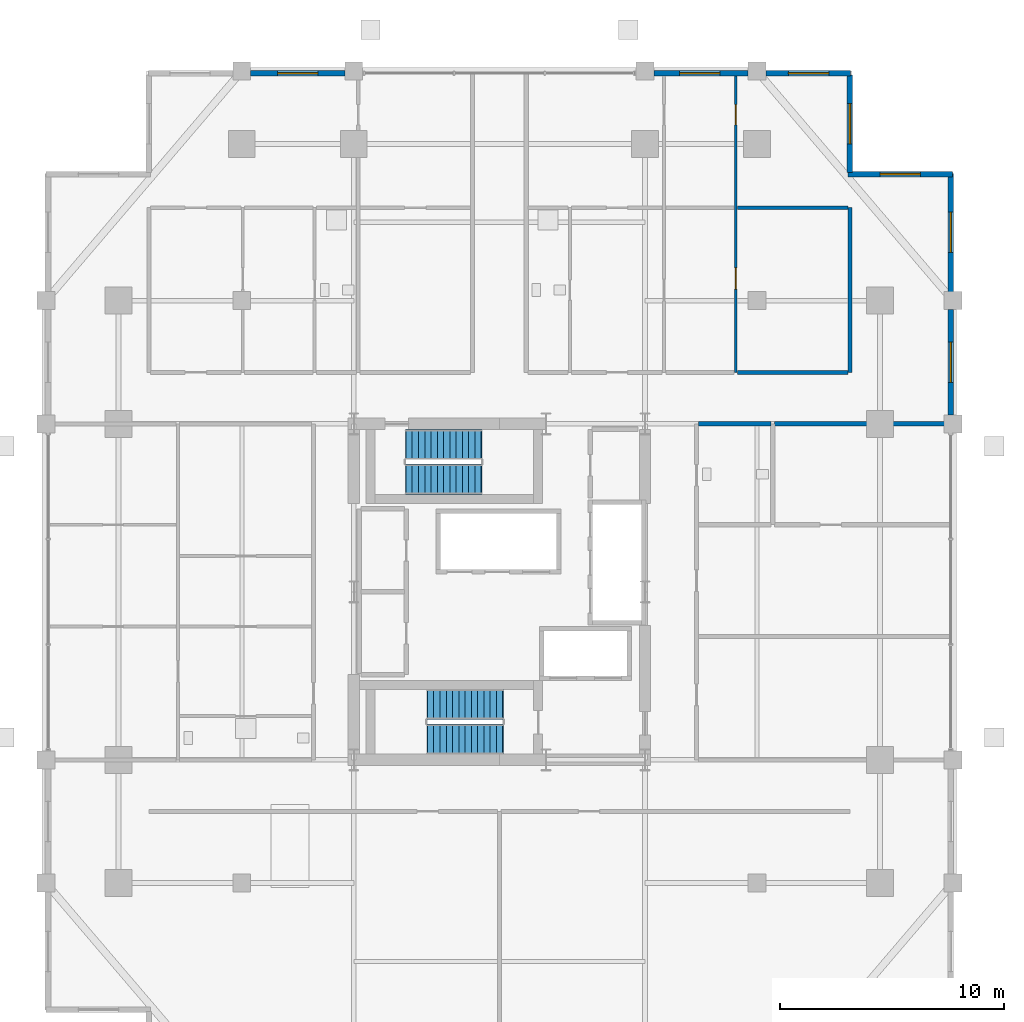
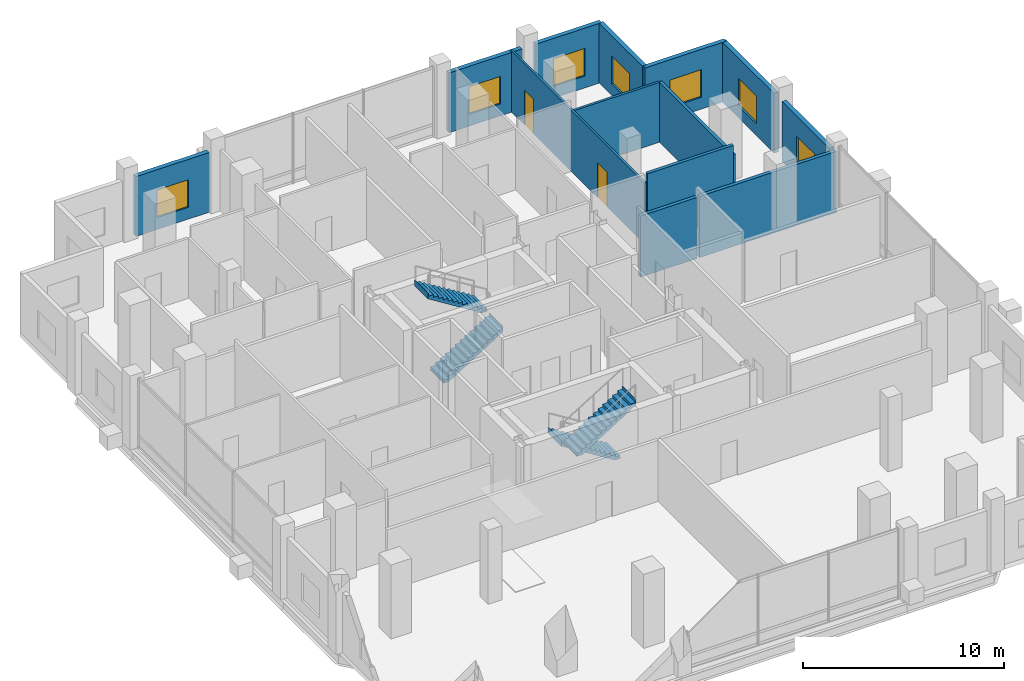
# One storey, part 17 of 19: 13 walls, 7 windows, 4 stair flights, 2 doors, 9 openings, 2 elements without a shape of their own.
"""IFC4 building model written with IfcOpenShell, lengths in metres."""

from ifc_helpers import new_model, si_unit, direction, frame, frame_2d, origin, place, context, subcontext, project, spatial, polyline, rectangle, outline, extrude, material, layer, layer_set, type_object, element, fill, aggregate, save


model = new_model("IFC4")

# Units and contexts
model_context = context("Model", 3, precision=1e-05, world=origin(), true_north=direction((0.0, 1.0)))
body_context = subcontext(model_context, "Body", "Model", "MODEL_VIEW")
ifc_project = project(units=[si_unit("LENGTHUNIT", "METRE"), si_unit("AREAUNIT", "SQUARE_METRE"), si_unit("VOLUMEUNIT", "CUBIC_METRE"), si_unit("PLANEANGLEUNIT", "RADIAN"), si_unit("MASSUNIT", "GRAM", prefix="KILO")], contexts=[model_context])

# Site, building, storey
site_placement = place(None, origin())
site = spatial("IfcSite", under=ifc_project, at=site_placement, CompositionType="ELEMENT")
building_placement = place(site_placement, origin())
building = spatial("IfcBuilding", under=site, at=building_placement, Name="Barlavira Tower and Art Museum", CompositionType="ELEMENT")
storey_placement = place(building_placement, frame((0.0, 0.0, 125.10009765625)))
storey = spatial("IfcBuildingStorey", under=building, at=storey_placement, Name="L31", CompositionType="ELEMENT", Elevation=125.10009765625)

# Wall, openings, doors
ifc_material_1 = material(Name="Gypsum acoustic stud partition", Category="gypsum")
ifc_layer_1 = layer(ifc_material_1, 0.1201171875, Name="Gypsum acoustic stud partition")
ifc_layer_set_1 = layer_set([ifc_layer_1], Name="Gypsum acoustic stud partition")
wall_type_1 = type_object("IfcWallType", Name="Apartment Internal Acoustic Partition 120", PredefinedType="PARTITIONING", material=ifc_layer_set_1)
wall_1_placement = place(storey_placement, frame((10.550048828125, 9.800048828125, 0.0), z_axis=(0.0, 0.0, 1.0), x_axis=(0.0, 1.0, 0.0)))
wall_1 = element("IfcWall", 1, at=wall_1_placement, inside=storey, type_object=wall_type_1, Name="L31 Partition Wall 16", PredefinedType="PARTITIONING", context=body_context, shape_type="SweptSolid", body=[
    extrude(rectangle(XDim=13.349853515625, YDim=0.1201171875, at=frame_2d((6.6748046875, 0.0))), origin(), (0.0, 0.0, 1.0), 3.7158203125),
])
opening_1_placement = place(wall_1_placement, frame((3.71337890625, 0.0, 0.0)))
opening_1 = element("IfcOpeningElement", 2, at=opening_1_placement, cuts=wall_1, Name="Opening D-02", PredefinedType="OPENING", context=body_context, shape_type="SweptSolid", body=[
    extrude(rectangle(XDim=0.949951171875, YDim=2.10009765625, at=frame_2d((0.47509765625, 1.050048828125))), frame((0.0, 0.070068359375, 0.0), z_axis=(0.0, -1.0, 0.0), x_axis=(1.0, 0.0, 0.0)), (0.0, 0.0, 1.0), 0.14013671875),
])
opening_2_placement = place(wall_1_placement, frame((11.051025390625, 0.0, 0.0)))
opening_2 = element("IfcOpeningElement", 3, at=opening_2_placement, cuts=wall_1, Name="Opening D-01", PredefinedType="OPENING", context=body_context, shape_type="SweptSolid", body=[
    extrude(rectangle(XDim=0.89990234375, YDim=2.10009765625, at=frame_2d((0.449951171875, 1.050048828125))), frame((0.0, 0.070068359375, 0.0), z_axis=(0.0, -1.0, 0.0), x_axis=(1.0, 0.0, 0.0)), (0.0, 0.0, 1.0), 0.14013671875),
])
ifc_material_2 = material(Name="Engineered coastal hardwood", Category="wood")
door_type_1 = type_object("IfcDoorType", Name="Internal Bedroom Timber Flush Door 900x2100", OperationType="NOTDEFINED", PredefinedType="DOOR", material=ifc_material_2)
door_1_placement = place(opening_2_placement, origin())
door_1 = element("IfcDoor", 4, at=door_1_placement, inside=storey, type_object=door_type_1, Name="Apartment SKY-NE Bedroom 2 Door", OperationType="SINGLE_SWING_LEFT", OverallHeight=2.10009765625, OverallWidth=0.89990234375, PredefinedType="DOOR", context=body_context, shape_type="SweptSolid", body=[
    extrude(rectangle(XDim=0.89990234375, YDim=2.10009765625, at=frame_2d((0.449951171875, 1.050048828125))), frame((0.0, 0.02490234375, 0.0), z_axis=(0.0, -1.0, 0.0), x_axis=(1.0, 0.0, 0.0)), (0.0, 0.0, 1.0), 0.050048828125),
])
fill(opening_2, door_1)
door_type_2 = type_object("IfcDoorType", Name="Living and Salon Glazed-Leaf Door 950x2100", OperationType="NOTDEFINED", PredefinedType="DOOR", material=ifc_material_2)
door_2_placement = place(opening_1_placement, origin())
door_2 = element("IfcDoor", 5, at=door_2_placement, inside=storey, type_object=door_type_2, Name="Apartment SKY-NE Dining Salon Door", OperationType="SINGLE_SWING_RIGHT", OverallHeight=2.10009765625, OverallWidth=0.949951171875, PredefinedType="DOOR", context=body_context, shape_type="SweptSolid", body=[
    extrude(rectangle(XDim=0.949951171875, YDim=2.10009765625, at=frame_2d((0.47509765625, 1.050048828125))), frame((0.0, 0.02490234375, 0.0), z_axis=(0.0, -1.0, 0.0), x_axis=(1.0, 0.0, 0.0)), (0.0, 0.0, 1.0), 0.050048828125),
])
fill(opening_1, door_2)

# Walls
ifc_material_3 = material(Name="Autoclaved aerated concrete masonry", Category="masonry")
ifc_layer_2 = layer(ifc_material_3, 0.199951171875, Name="Autoclaved aerated concrete masonry")
ifc_layer_set_2 = layer_set([ifc_layer_2], Name="Autoclaved aerated concrete masonry")
wall_type_2 = type_object("IfcWallType", Name="Fire Compartment and Shaft Wall 200", PredefinedType="SOLIDWALL", material=ifc_layer_set_2)
wall_2_placement = place(storey_placement, frame((8.8798828125, 7.5, 0.0), z_axis=(0.0, 0.0, 1.0), x_axis=(1.0, 0.0, 0.0)))
element("IfcWall", 6, at=wall_2_placement, inside=storey, type_object=wall_type_2, Name="L31 Partition Wall 38", PredefinedType="SOLIDWALL", context=body_context, shape_type="SweptSolid", body=[
    extrude(rectangle(XDim=3.240234375, YDim=0.199951171875, at=frame_2d((1.6201171875, 0.0))), origin(), (0.0, 0.0, 1.0), 3.7158203125),
])
wall_3_placement = place(storey_placement, frame((12.280029296875, 7.5, 0.0), z_axis=(0.0, 0.0, 1.0), x_axis=(1.0, 0.0, 0.0)))
element("IfcWall", 7, at=wall_3_placement, inside=storey, type_object=wall_type_2, Name="L31 Partition Wall 39", PredefinedType="SOLIDWALL", context=body_context, shape_type="SweptSolid", body=[
    extrude(rectangle(XDim=7.869873046875, YDim=0.199951171875, at=frame_2d((3.93505859375, 0.0))), origin(), (0.0, 0.0, 1.0), 3.7158203125),
])
ifc_layer_3 = layer(ifc_material_1, 0.179931640625, Name="Gypsum acoustic stud partition")
ifc_layer_set_3 = layer_set([ifc_layer_3], Name="Gypsum acoustic stud partition")
wall_type_3 = type_object("IfcWallType", Name="Inter-Tenancy Party Partition Wall 180", PredefinedType="PARTITIONING", material=ifc_layer_set_3)
wall_4_placement = place(storey_placement, frame((15.64990234375, 9.800048828125, 0.0), z_axis=(0.0, 0.0, 1.0), x_axis=(0.0, 1.0, 0.0)))
element("IfcWall", 8, at=wall_4_placement, inside=storey, type_object=wall_type_3, Name="L31 Partition Wall 18", PredefinedType="PARTITIONING", context=body_context, shape_type="SweptSolid", body=[
    extrude(rectangle(XDim=7.349853515625, YDim=0.179931640625, at=frame_2d((3.6748046875, 0.0))), origin(), (0.0, 0.0, 1.0), 3.635986328125),
])
wall_5_placement = place(storey_placement, frame((10.6298828125, 9.800048828125, 0.0), z_axis=(0.0, 0.0, 1.0), x_axis=(1.0, 0.0, 0.0)))
element("IfcWall", 9, at=wall_5_placement, inside=storey, type_object=wall_type_3, Name="L31 Partition Wall 47", PredefinedType="PARTITIONING", context=body_context, shape_type="SweptSolid", body=[
    extrude(rectangle(XDim=4.940185546875, YDim=0.179931640625, at=frame_2d((2.47021484375, 0.0))), origin(), (0.0, 0.0, 1.0), 4.27978515625),
])
ifc_layer_4 = layer(ifc_material_1, 0.139892578125, Name="Gypsum acoustic stud partition")
ifc_layer_set_4 = layer_set([ifc_layer_4], Name="Gypsum acoustic stud partition")
wall_type_4 = type_object("IfcWallType", Name="Moisture-Resistant Bathroom Partition 140", PredefinedType="PARTITIONING", material=ifc_layer_set_4)
wall_6_placement = place(storey_placement, frame((10.6298828125, 17.14990234375, 0.0), z_axis=(0.0, 0.0, 1.0), x_axis=(1.0, 0.0, 0.0)))
element("IfcWall", 10, at=wall_6_placement, inside=storey, type_object=wall_type_4, Name="L31 Partition Wall 55", PredefinedType="PARTITIONING", context=body_context, shape_type="SweptSolid", body=[
    extrude(rectangle(XDim=4.940185546875, YDim=0.139892578125, at=frame_2d((2.47021484375, 0.0))), origin(), (0.0, 0.0, 1.0), 3.635986328125),
])

# Wall, opening, window
ifc_material_4 = material(Name="Precast concrete C40", Category="concrete")
ifc_layer_5 = layer(ifc_material_4, 0.25, Name="Precast concrete C40")
ifc_layer_set_5 = layer_set([ifc_layer_5], Name="Precast concrete C40")
wall_type_5 = type_object("IfcWallType", Name="Notched Corner Spandrel Wall 250 Precast Concrete C40", PredefinedType="SOLIDWALL", material=ifc_layer_set_5)
wall_7_placement = place(storey_placement, frame((15.675048828125, 23.14990234375, 0.0), z_axis=(0.0, 0.0, 1.0), x_axis=(-1.0, 0.0, 0.0)))
wall_7 = element("IfcWall", 11, at=wall_7_placement, inside=storey, type_object=wall_type_5, Name="L31 Coastal Facade Pier Wall CW2-L31-N-1", PredefinedType="SOLIDWALL", context=body_context, shape_type="SweptSolid", body=[
    extrude(rectangle(XDim=3.780029296875, YDim=0.25, at=frame_2d((1.89013671875, 0.0))), origin(), (0.0, 0.0, 1.0), 3.635986328125),
])
opening_3_placement = place(wall_7_placement, frame((0.968017578125, 0.0, 0.719970703125)))
opening_3 = element("IfcOpeningElement", 12, at=opening_3_placement, cuts=wall_7, Name="Opening WN-01", PredefinedType="OPENING", context=body_context, shape_type="SweptSolid", body=[
    extrude(rectangle(XDim=1.800048828125, YDim=1.679931640625, at=frame_2d((0.89990234375, 0.83984375))), frame((0.0, 0.135009765625, 0.0), z_axis=(0.0, -1.0, 0.0), x_axis=(1.0, 0.0, 0.0)), (0.0, 0.0, 1.0), 0.27001953125),
])
ifc_material_5 = material(Name="Low-iron coastal laminated glass", Category="glass")
window_type = type_object("IfcWindowType", Name="Recessed Notch Corner Punch Window 1800x1680", PartitioningType="SINGLE_PANEL", PredefinedType="WINDOW", material=ifc_material_5)
window_1_placement = place(opening_3_placement, origin())
window_1 = element("IfcWindow", 13, at=window_1_placement, inside=storey, type_object=window_type, Name="L31 Punched Facade Window EWP-CW2-L31-N-1-1", OverallHeight=1.679931640625, OverallWidth=1.800048828125, PartitioningType="SINGLE_PANEL", PredefinedType="WINDOW", context=body_context, shape_type="SweptSolid", body=[
    extrude(rectangle(XDim=1.800048828125, YDim=1.679931640625, at=frame_2d((0.89990234375, 0.83984375))), frame((0.0, 0.030029296875, 0.0), z_axis=(0.0, -1.0, 0.0), x_axis=(1.0, 0.0, 0.0)), (0.0, 0.0, 1.0), 0.06005859375),
])
fill(opening_3, window_1)

wall_8_placement = place(storey_placement, frame((11.10498046875, 23.14990234375, 0.0), z_axis=(0.0, 0.0, 1.0), x_axis=(-1.0, 0.0, 0.0)))
wall_8 = element("IfcWall", 14, at=wall_8_placement, inside=storey, type_object=wall_type_5, Name="L31 Coastal Facade Pier Wall CW2-L31-N-2", PredefinedType="SOLIDWALL", context=body_context, shape_type="SweptSolid", body=[
    extrude(rectangle(XDim=4.2099609375, YDim=0.25, at=frame_2d((2.10498046875, 0.0))), origin(), (0.0, 0.0, 1.0), 3.635986328125),
])
opening_4_placement = place(wall_8_placement, frame((1.2548828125, 0.0, 0.719970703125)))
opening_4 = element("IfcOpeningElement", 15, at=opening_4_placement, cuts=wall_8, Name="Opening WN-01", PredefinedType="OPENING", context=body_context, shape_type="SweptSolid", body=[
    extrude(rectangle(XDim=1.800048828125, YDim=1.679931640625, at=frame_2d((0.89990234375, 0.83984375))), frame((0.0, 0.135009765625, 0.0), z_axis=(0.0, -1.0, 0.0), x_axis=(1.0, 0.0, 0.0)), (0.0, 0.0, 1.0), 0.27001953125),
])
window_2_placement = place(opening_4_placement, origin())
window_2 = element("IfcWindow", 16, at=window_2_placement, inside=storey, type_object=window_type, Name="L31 Punched Facade Window EWP-CW2-L31-N-2-1", OverallHeight=1.679931640625, OverallWidth=1.800048828125, PartitioningType="SINGLE_PANEL", PredefinedType="WINDOW", context=body_context, shape_type="SweptSolid", body=[
    extrude(rectangle(XDim=1.800048828125, YDim=1.679931640625, at=frame_2d((0.89990234375, 0.83984375))), frame((0.0, 0.030029296875, 0.0), z_axis=(0.0, -1.0, 0.0), x_axis=(1.0, 0.0, 0.0)), (0.0, 0.0, 1.0), 0.06005859375),
])
fill(opening_4, window_2)

wall_9_placement = place(storey_placement, frame((-6.89501953125, 23.14990234375, 0.0), z_axis=(0.0, 0.0, 1.0), x_axis=(-1.0, 0.0, 0.0)))
wall_9 = element("IfcWall", 17, at=wall_9_placement, inside=storey, type_object=wall_type_5, Name="L31 Coastal Facade Pier Wall CW2-L31-N-4", PredefinedType="SOLIDWALL", context=body_context, shape_type="SweptSolid", body=[
    extrude(rectangle(XDim=4.2099609375, YDim=0.25, at=frame_2d((2.10498046875, 0.0))), origin(), (0.0, 0.0, 1.0), 3.635986328125),
])
opening_5_placement = place(wall_9_placement, frame((1.205078125, 0.0, 0.719970703125)))
opening_5 = element("IfcOpeningElement", 18, at=opening_5_placement, cuts=wall_9, Name="Opening WN-01", PredefinedType="OPENING", context=body_context, shape_type="SweptSolid", body=[
    extrude(rectangle(XDim=1.800048828125, YDim=1.679931640625, at=frame_2d((0.89990234375, 0.83984375))), frame((0.0, 0.135009765625, 0.0), z_axis=(0.0, -1.0, 0.0), x_axis=(1.0, 0.0, 0.0)), (0.0, 0.0, 1.0), 0.27001953125),
])
window_3_placement = place(opening_5_placement, origin())
window_3 = element("IfcWindow", 19, at=window_3_placement, inside=storey, type_object=window_type, Name="L31 Punched Facade Window EWP-CW2-L31-N-4-1", OverallHeight=1.679931640625, OverallWidth=1.800048828125, PartitioningType="SINGLE_PANEL", PredefinedType="WINDOW", context=body_context, shape_type="SweptSolid", body=[
    extrude(rectangle(XDim=1.800048828125, YDim=1.679931640625, at=frame_2d((0.89990234375, 0.83984375))), frame((0.0, 0.030029296875, 0.0), z_axis=(0.0, -1.0, 0.0), x_axis=(1.0, 0.0, 0.0)), (0.0, 0.0, 1.0), 0.06005859375),
])
fill(opening_5, window_3)

wall_10_placement = place(storey_placement, frame((20.14990234375, 7.89501953125, 0.0), z_axis=(0.0, 0.0, 1.0), x_axis=(0.0, 1.0, 0.0)))
wall_10 = element("IfcWall", 20, at=wall_10_placement, inside=storey, type_object=wall_type_5, Name="L31 Coastal Facade Pier Wall CW2-L31-E-4", PredefinedType="SOLIDWALL", context=body_context, shape_type="SweptSolid", body=[
    extrude(rectangle(XDim=4.7099609375, YDim=0.25, at=frame_2d((2.35498046875, 0.0))), origin(), (0.0, 0.0, 1.0), 3.635986328125),
])
opening_6_placement = place(wall_10_placement, frame((1.455078125, 0.0, 0.719970703125)))
opening_6 = element("IfcOpeningElement", 21, at=opening_6_placement, cuts=wall_10, Name="Opening WN-01", PredefinedType="OPENING", context=body_context, shape_type="SweptSolid", body=[
    extrude(rectangle(XDim=1.800048828125, YDim=1.679931640625, at=frame_2d((0.89990234375, 0.83984375))), frame((0.0, 0.135009765625, 0.0), z_axis=(0.0, -1.0, 0.0), x_axis=(1.0, 0.0, 0.0)), (0.0, 0.0, 1.0), 0.27001953125),
])
window_4_placement = place(opening_6_placement, origin())
window_4 = element("IfcWindow", 22, at=window_4_placement, inside=storey, type_object=window_type, Name="L31 Punched Facade Window EWP-CW2-L31-E-4-1", OverallHeight=1.679931640625, OverallWidth=1.800048828125, PartitioningType="SINGLE_PANEL", PredefinedType="WINDOW", context=body_context, shape_type="SweptSolid", body=[
    extrude(rectangle(XDim=1.800048828125, YDim=1.679931640625, at=frame_2d((0.89990234375, 0.83984375))), frame((0.0, 0.030029296875, 0.0), z_axis=(0.0, -1.0, 0.0), x_axis=(1.0, 0.0, 0.0)), (0.0, 0.0, 1.0), 0.06005859375),
])
fill(opening_6, window_4)

wall_11_placement = place(storey_placement, frame((20.14990234375, 13.39501953125, 0.0), z_axis=(0.0, 0.0, 1.0), x_axis=(0.0, 1.0, 0.0)))
wall_11 = element("IfcWall", 23, at=wall_11_placement, inside=storey, type_object=wall_type_5, Name="L31 Coastal Facade Pier Wall CW2-L31-E-5", PredefinedType="SOLIDWALL", context=body_context, shape_type="SweptSolid", body=[
    extrude(rectangle(XDim=5.280029296875, YDim=0.25, at=frame_2d((2.64013671875, 0.0))), origin(), (0.0, 0.0, 1.0), 3.635986328125),
])
opening_7_placement = place(wall_11_placement, frame((1.762939453125, 0.0, 0.719970703125)))
opening_7 = element("IfcOpeningElement", 24, at=opening_7_placement, cuts=wall_11, Name="Opening WN-01", PredefinedType="OPENING", context=body_context, shape_type="SweptSolid", body=[
    extrude(rectangle(XDim=1.800048828125, YDim=1.679931640625, at=frame_2d((0.89990234375, 0.83984375))), frame((0.0, 0.135009765625, 0.0), z_axis=(0.0, -1.0, 0.0), x_axis=(1.0, 0.0, 0.0)), (0.0, 0.0, 1.0), 0.27001953125),
])
window_5_placement = place(opening_7_placement, origin())
window_5 = element("IfcWindow", 25, at=window_5_placement, inside=storey, type_object=window_type, Name="L31 Punched Facade Window EWP-CW2-L31-E-5-1", OverallHeight=1.679931640625, OverallWidth=1.800048828125, PartitioningType="SINGLE_PANEL", PredefinedType="WINDOW", context=body_context, shape_type="SweptSolid", body=[
    extrude(rectangle(XDim=1.800048828125, YDim=1.679931640625, at=frame_2d((0.89990234375, 0.83984375))), frame((0.0, 0.030029296875, 0.0), z_axis=(0.0, -1.0, 0.0), x_axis=(1.0, 0.0, 0.0)), (0.0, 0.0, 1.0), 0.06005859375),
])
fill(opening_7, window_5)

wall_12_placement = place(storey_placement, frame((20.22998046875, 18.64990234375, 0.0), z_axis=(0.0, 0.0, 1.0), x_axis=(-1.0, 0.0, 0.0)))
wall_12 = element("IfcWall", 26, at=wall_12_placement, inside=storey, type_object=wall_type_5, Name="L31 Notch Corner Wall NE1", PredefinedType="SOLIDWALL", context=body_context, shape_type="SweptSolid", body=[
    extrude(rectangle(XDim=4.659912109375, YDim=0.25, at=frame_2d((2.330078125, 0.0))), origin(), (0.0, 0.0, 1.0), 3.635986328125),
])
opening_8_placement = place(wall_12_placement, frame((1.429931640625, 0.0, 0.719970703125)))
opening_8 = element("IfcOpeningElement", 27, at=opening_8_placement, cuts=wall_12, Name="Opening WN-01", PredefinedType="OPENING", context=body_context, shape_type="SweptSolid", body=[
    extrude(rectangle(XDim=1.800048828125, YDim=1.679931640625, at=frame_2d((0.89990234375, 0.83984375))), frame((0.0, 0.135009765625, 0.0), z_axis=(0.0, -1.0, 0.0), x_axis=(1.0, 0.0, 0.0)), (0.0, 0.0, 1.0), 0.27001953125),
])
window_6_placement = place(opening_8_placement, origin())
window_6 = element("IfcWindow", 28, at=window_6_placement, inside=storey, type_object=window_type, Name="L31 Punched Facade Window EW-NTC-L31-NE1-1", OverallHeight=1.679931640625, OverallWidth=1.800048828125, PartitioningType="SINGLE_PANEL", PredefinedType="WINDOW", context=body_context, shape_type="SweptSolid", body=[
    extrude(rectangle(XDim=1.800048828125, YDim=1.679931640625, at=frame_2d((0.89990234375, 0.83984375))), frame((0.0, 0.030029296875, 0.0), z_axis=(0.0, -1.0, 0.0), x_axis=(1.0, 0.0, 0.0)), (0.0, 0.0, 1.0), 0.06005859375),
])
fill(opening_8, window_6)

wall_13_placement = place(storey_placement, frame((15.64990234375, 18.72998046875, 0.0), z_axis=(0.0, 0.0, 1.0), x_axis=(0.0, 1.0, 0.0)))
wall_13 = element("IfcWall", 29, at=wall_13_placement, inside=storey, type_object=wall_type_5, Name="L31 Notch Corner Wall NE2", PredefinedType="SOLIDWALL", context=body_context, shape_type="SweptSolid", body=[
    extrude(rectangle(XDim=4.340087890625, YDim=0.25, at=frame_2d((2.169921875, 0.0))), origin(), (0.0, 0.0, 1.0), 3.635986328125),
])
opening_9_placement = place(wall_13_placement, frame((1.27001953125, 0.0, 0.719970703125)))
opening_9 = element("IfcOpeningElement", 30, at=opening_9_placement, cuts=wall_13, Name="Opening WN-01", PredefinedType="OPENING", context=body_context, shape_type="SweptSolid", body=[
    extrude(rectangle(XDim=1.800048828125, YDim=1.679931640625, at=frame_2d((0.89990234375, 0.83984375))), frame((0.0, 0.135009765625, 0.0), z_axis=(0.0, -1.0, 0.0), x_axis=(1.0, 0.0, 0.0)), (0.0, 0.0, 1.0), 0.27001953125),
])
window_7_placement = place(opening_9_placement, origin())
window_7 = element("IfcWindow", 31, at=window_7_placement, inside=storey, type_object=window_type, Name="L31 Punched Facade Window EW-NTC-L31-NE2-1", OverallHeight=1.679931640625, OverallWidth=1.800048828125, PartitioningType="SINGLE_PANEL", PredefinedType="WINDOW", context=body_context, shape_type="SweptSolid", body=[
    extrude(rectangle(XDim=1.800048828125, YDim=1.679931640625, at=frame_2d((0.89990234375, 0.83984375))), frame((0.0, 0.030029296875, 0.0), z_axis=(0.0, -1.0, 0.0), x_axis=(1.0, 0.0, 0.0)), (0.0, 0.0, 1.0), 0.06005859375),
])
fill(opening_9, window_7)

# Stair, stair flights
ifc_material_6 = material(Name="Concrete C45", Category="concrete")
stair_type_1 = type_object("IfcStairType", Name="Tower North Dog-Leg Exit Stair Assembly Concrete C45", PredefinedType="TWO_QUARTER_TURN_STAIR", material=ifc_material_6)
stair_1_placement = place(storey_placement, origin())
stair_1 = element("IfcStair", 32, at=stair_1_placement, inside=storey, type_object=stair_type_1, Name="L31 Tower North Exit Stair ST-T2", PredefinedType="TWO_QUARTER_TURN_STAIR")
ifc_material_7 = material(Name="Precast concrete C45", Category="concrete")
stair_flight_type_1 = type_object("IfcStairFlightType", Name="Tower North Dog-Leg Exit Stair Precast Flight 1350 Concrete C45", PredefinedType="STRAIGHT", material=ifc_material_7)
stair_flight_1_placement = place(storey_placement, frame((-4.169921875, 5.02490234375, 0.0), z_axis=(0.0, 0.0, 1.0), x_axis=(1.0, 0.0, 0.0)))
stair_flight_1 = element("IfcStairFlight", 33, at=stair_flight_1_placement, type_object=stair_flight_type_1, Name="ST-T2 flight 1", NumberOfRisers=13, NumberOfTreads=12, PredefinedType="STRAIGHT", RiserHeight=0.173076923, TreadLength=0.28, context=body_context, shape_type="SweptSolid", body=[
    extrude(outline(polyline([(-0.02490234375, 0.0), (0.0, 0.0), (0.0, 0.173095703125), (0.280029296875, 0.173095703125), (0.280029296875, 0.34619140625), (0.56005859375, 0.34619140625), (0.56005859375, 0.519287109375), (0.840087890625, 0.519287109375), (0.840087890625, 0.6923828125), (1.1201171875, 0.6923828125), (1.1201171875, 0.865478515625), (1.39990234375, 0.865478515625), (1.39990234375, 1.03857421875), (1.679931640625, 1.03857421875), (1.679931640625, 1.21142578125), (1.9599609375, 1.21142578125), (1.9599609375, 1.384521484375), (2.239990234375, 1.384521484375), (2.239990234375, 1.5576171875), (2.52001953125, 1.5576171875), (2.52001953125, 1.730712890625), (2.800048828125, 1.730712890625), (2.800048828125, 1.90380859375), (3.080078125, 1.90380859375), (3.080078125, 2.076904296875), (3.360107421875, 2.076904296875), (3.360107421875, 2.25), (3.385009765625, 2.25), (3.385009765625, 1.900634765625), (3.360107421875, 1.900634765625), (0.28515625, -0.02490234375), (-0.02490234375, -0.02490234375), (-0.02490234375, 0.0)])), frame((0.0, 0.675048828125, 0.0), z_axis=(0.0, -1.0, 0.0), x_axis=(1.0, 0.0, 0.0)), (0.0, 0.0, 1.0), 1.35009765625),
])
stair_flight_2_placement = place(storey_placement, frame((-0.81005859375, 6.574951171875, 2.25), z_axis=(0.0, 0.0, 1.0), x_axis=(-1.0, 0.0, 0.0)))
stair_flight_2 = element("IfcStairFlight", 34, at=stair_flight_2_placement, type_object=stair_flight_type_1, Name="ST-T2 flight 2", NumberOfRisers=13, NumberOfTreads=12, PredefinedType="STRAIGHT", RiserHeight=0.173076923, TreadLength=0.28, context=body_context, shape_type="SweptSolid", body=[
    extrude(outline(polyline([(-0.02490234375, 0.0), (0.0, 0.0), (0.0, 0.173095703125), (0.280029296875, 0.173095703125), (0.280029296875, 0.34619140625), (0.56005859375, 0.34619140625), (0.56005859375, 0.519287109375), (0.840087890625, 0.519287109375), (0.840087890625, 0.6923828125), (1.1201171875, 0.6923828125), (1.1201171875, 0.865478515625), (1.39990234375, 0.865478515625), (1.39990234375, 1.03857421875), (1.679931640625, 1.03857421875), (1.679931640625, 1.21142578125), (1.9599609375, 1.21142578125), (1.9599609375, 1.384521484375), (2.239990234375, 1.384521484375), (2.239990234375, 1.5576171875), (2.52001953125, 1.5576171875), (2.52001953125, 1.730712890625), (2.800048828125, 1.730712890625), (2.800048828125, 1.90380859375), (3.080078125, 1.90380859375), (3.080078125, 2.076904296875), (3.360107421875, 2.076904296875), (3.360107421875, 2.25), (3.385009765625, 2.25), (3.385009765625, 1.900634765625), (3.360107421875, 1.900634765625), (0.28515625, -0.02490234375), (-0.02490234375, -0.02490234375), (-0.02490234375, 0.0)])), frame((0.0, 0.675048828125, 0.0), z_axis=(0.0, -1.0, 0.0), x_axis=(1.0, 0.0, 0.0)), (0.0, 0.0, 1.0), 1.35009765625),
])
aggregate(stair_1, [stair_flight_1, stair_flight_2])

stair_type_2 = type_object("IfcStairType", Name="Tower South Dog-Leg Exit Stair Assembly Concrete C45", PredefinedType="TWO_QUARTER_TURN_STAIR", material=ifc_material_6)
stair_2_placement = place(storey_placement, origin())
stair_2 = element("IfcStair", 35, at=stair_2_placement, inside=storey, type_object=stair_type_2, Name="L31 Tower South Exit Stair ST-T1", PredefinedType="TWO_QUARTER_TURN_STAIR")
stair_flight_type_2 = type_object("IfcStairFlightType", Name="Tower South Dog-Leg Exit Stair Precast Flight 1350 Concrete C45", PredefinedType="STRAIGHT", material=ifc_material_7)
stair_flight_3_placement = place(storey_placement, frame((0.14990234375, -5.02490234375, 0.0), z_axis=(0.0, 0.0, 1.0), x_axis=(-1.0, 0.0, 0.0)))
stair_flight_3 = element("IfcStairFlight", 36, at=stair_flight_3_placement, type_object=stair_flight_type_2, Name="ST-T1 flight 1", NumberOfRisers=13, NumberOfTreads=12, PredefinedType="STRAIGHT", RiserHeight=0.173076923, TreadLength=0.28, context=body_context, shape_type="SweptSolid", body=[
    extrude(outline(polyline([(-0.02490234375, 0.0), (0.0, 0.0), (0.0, 0.173095703125), (0.280029296875, 0.173095703125), (0.280029296875, 0.34619140625), (0.56005859375, 0.34619140625), (0.56005859375, 0.519287109375), (0.840087890625, 0.519287109375), (0.840087890625, 0.6923828125), (1.1201171875, 0.6923828125), (1.1201171875, 0.865478515625), (1.39990234375, 0.865478515625), (1.39990234375, 1.03857421875), (1.679931640625, 1.03857421875), (1.679931640625, 1.21142578125), (1.9599609375, 1.21142578125), (1.9599609375, 1.384521484375), (2.239990234375, 1.384521484375), (2.239990234375, 1.5576171875), (2.52001953125, 1.5576171875), (2.52001953125, 1.730712890625), (2.800048828125, 1.730712890625), (2.800048828125, 1.90380859375), (3.080078125, 1.90380859375), (3.080078125, 2.076904296875), (3.360107421875, 2.076904296875), (3.360107421875, 2.25), (3.385009765625, 2.25), (3.385009765625, 1.900634765625), (3.360107421875, 1.900634765625), (0.28515625, -0.02490234375), (-0.02490234375, -0.02490234375), (-0.02490234375, 0.0)])), frame((0.0, 0.675048828125, 0.0), z_axis=(0.0, -1.0, 0.0), x_axis=(1.0, 0.0, 0.0)), (0.0, 0.0, 1.0), 1.35009765625),
])
stair_flight_4_placement = place(storey_placement, frame((-3.2099609375, -6.574951171875, 2.25), z_axis=(0.0, 0.0, 1.0), x_axis=(1.0, 0.0, 0.0)))
stair_flight_4 = element("IfcStairFlight", 37, at=stair_flight_4_placement, type_object=stair_flight_type_2, Name="ST-T1 flight 2", NumberOfRisers=13, NumberOfTreads=12, PredefinedType="STRAIGHT", RiserHeight=0.173076923, TreadLength=0.28, context=body_context, shape_type="SweptSolid", body=[
    extrude(outline(polyline([(-0.02490234375, 0.0), (0.0, 0.0), (0.0, 0.173095703125), (0.280029296875, 0.173095703125), (0.280029296875, 0.34619140625), (0.56005859375, 0.34619140625), (0.56005859375, 0.519287109375), (0.840087890625, 0.519287109375), (0.840087890625, 0.6923828125), (1.1201171875, 0.6923828125), (1.1201171875, 0.865478515625), (1.39990234375, 0.865478515625), (1.39990234375, 1.03857421875), (1.679931640625, 1.03857421875), (1.679931640625, 1.21142578125), (1.9599609375, 1.21142578125), (1.9599609375, 1.384521484375), (2.239990234375, 1.384521484375), (2.239990234375, 1.5576171875), (2.52001953125, 1.5576171875), (2.52001953125, 1.730712890625), (2.800048828125, 1.730712890625), (2.800048828125, 1.90380859375), (3.080078125, 1.90380859375), (3.080078125, 2.076904296875), (3.360107421875, 2.076904296875), (3.360107421875, 2.25), (3.385009765625, 2.25), (3.385009765625, 1.900634765625), (3.360107421875, 1.900634765625), (0.28515625, -0.02490234375), (-0.02490234375, -0.02490234375), (-0.02490234375, 0.0)])), frame((0.0, 0.675048828125, 0.0), z_axis=(0.0, -1.0, 0.0), x_axis=(1.0, 0.0, 0.0)), (0.0, 0.0, 1.0), 1.35009765625),
])
aggregate(stair_2, [stair_flight_3, stair_flight_4])

save(model, "model.ifc")
